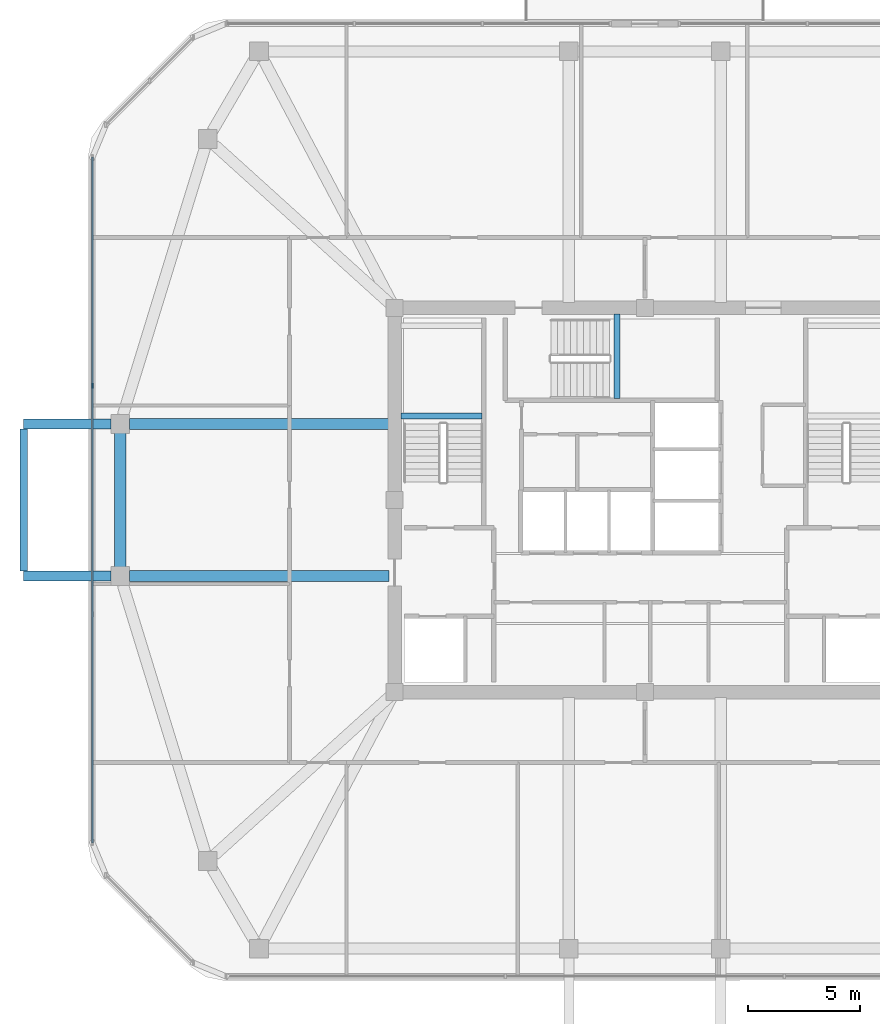
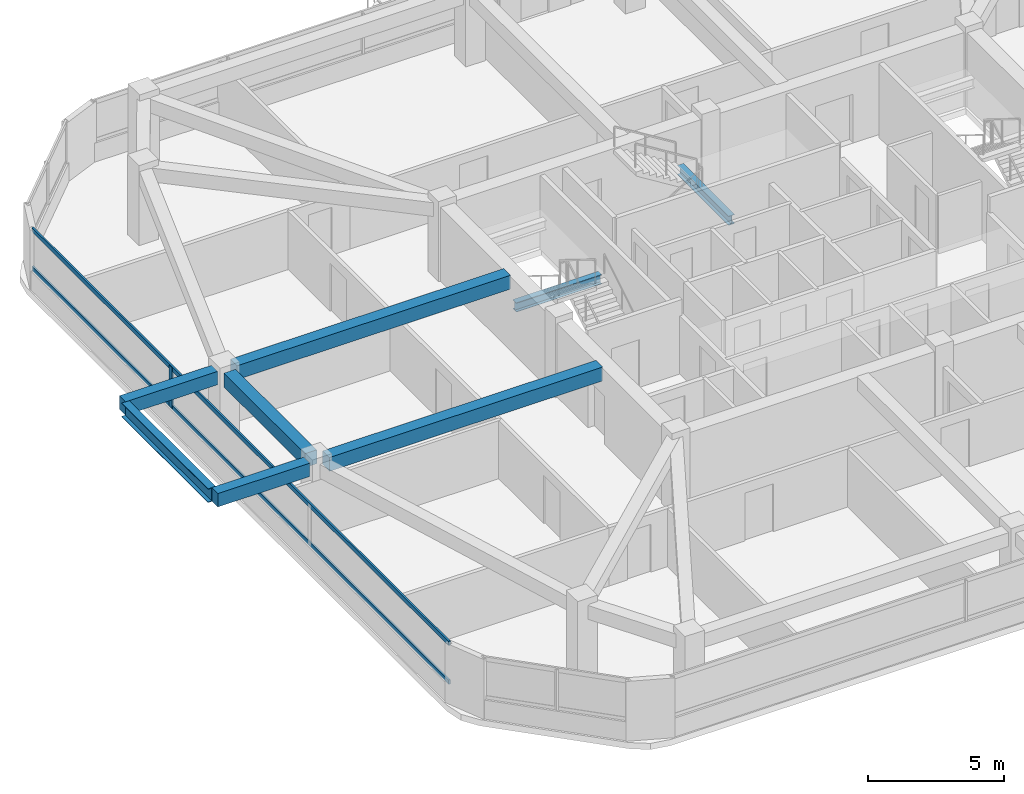
# One storey, part 4 of 14: 8 beams, 3 members, 1 element without a shape of its own.
"""IFC4 building model written with IfcOpenShell, lengths in metres."""

from ifc_helpers import new_model, si_unit, derived_unit, direction, frame, origin, origin_2d, place, context, subcontext, project, spatial, rectangle, i_section, extrude, material, material_profile, profile_set, type_object, element, aggregate, save


model = new_model("IFC4")

# Units and contexts
model_context = context("Model", 3, precision=1e-05, world=origin(), true_north=direction((0.0, 1.0)))
body_context = subcontext(model_context, "Body", "Model", "MODEL_VIEW")
ifc_project = project(units=[si_unit("LENGTHUNIT", "METRE"), si_unit("AREAUNIT", "SQUARE_METRE"), si_unit("VOLUMEUNIT", "CUBIC_METRE"), si_unit("PLANEANGLEUNIT", "RADIAN"), si_unit("MASSUNIT", "GRAM", prefix="KILO"), derived_unit("THERMALTRANSMITTANCEUNIT", [(si_unit("POWERUNIT", "WATT"), 1), (si_unit("LENGTHUNIT", "METRE"), -2), (si_unit("THERMODYNAMICTEMPERATUREUNIT", "KELVIN"), -1)])], contexts=[model_context])

# Site, building, storey
site_placement = place(None, origin())
site = spatial("IfcSite", under=ifc_project, at=site_placement, CompositionType="ELEMENT")
building_placement = place(site_placement, origin())
building = spatial("IfcBuilding", under=site, at=building_placement, Name="Koralith Skygarden Medical Center", CompositionType="ELEMENT")
storey_placement = place(building_placement, frame((0.0, 0.0, 260.820068359375)))
storey = spatial("IfcBuildingStorey", under=building, at=storey_placement, Name="L67", CompositionType="ELEMENT", Elevation=260.820068359375)

# Curtain wall, members
ifc_material_1 = material(Name="Clear Laminated Glass", Category="glass")
curtain_wall_type = type_object("IfcCurtainWallType", Name="CW-6 Zone 5 Upper Clinical Curtain Wall", PredefinedType="NOTDEFINED", material=ifc_material_1)
curtain_wall_placement = place(storey_placement, origin())
curtain_wall = element("IfcCurtainWall", 1, at=curtain_wall_placement, inside=storey, type_object=curtain_wall_type, Name="Curtain Wall CW-L67-W", PredefinedType="NOTDEFINED")
ifc_material_2 = material(Name="Aluminium 6063-T6", Category="aluminium")
ifc_material_profile_1 = material_profile(ifc_material_2, rectangle(XDim=0.0830078125, YDim=0.219970703125, at=origin_2d()), Name="MUL83X220")
ifc_profile_set_1 = profile_set([ifc_material_profile_1], Name="Aluminium 6063-T6")
member_type_1 = type_object("IfcMemberType", Name="CW-6 Extruded Mullion 83x220", PredefinedType="MULLION", material=ifc_profile_set_1)
member_1_placement = place(storey_placement, frame((12.280029296875, 31.014892578125, 0.849853515625), z_axis=(0.0, 0.0, 1.0), x_axis=(1.0, 0.0, 0.0)))
member_1 = element("IfcMember", 2, at=member_1_placement, type_object=member_type_1, Name="CW-L67-W Mullion 2", PredefinedType="MULLION", context=body_context, shape_type="SweptSolid", body=[
    extrude(rectangle(XDim=0.0830078125, YDim=0.219970703125, at=origin_2d()), origin(), (0.0, 0.0, 1.0), 1.840087890625),
])
ifc_material_profile_2 = material_profile(ifc_material_2, rectangle(XDim=0.077880859375, YDim=0.197998046875, at=origin_2d()), Name="TRN78X198")
ifc_profile_set_2 = profile_set([ifc_material_profile_2], Name="Aluminium 6063-T6")
member_type_2 = type_object("IfcMemberType", Name="CW-6 Thermal Transom 78x198", PredefinedType="USERDEFINED", material=ifc_profile_set_2)
member_2_placement = place(storey_placement, frame((12.280029296875, 41.2451171875, 0.89990234375), z_axis=(0.0, -1.0, 0.0), x_axis=(1.0, 0.0, 0.0)))
member_2 = element("IfcMember", 3, at=member_2_placement, type_object=member_type_2, Name="CW-L67-W Transom 1", ObjectType="TRANSOM", PredefinedType="USERDEFINED", context=body_context, shape_type="SweptSolid", body=[
    extrude(rectangle(XDim=0.077880859375, YDim=0.197998046875, at=origin_2d()), origin(), (0.0, 0.0, 1.0), 30.690185546875),
])
member_3_placement = place(storey_placement, frame((12.280029296875, 41.2451171875, 2.639892578125), z_axis=(0.0, -1.0, 0.0), x_axis=(1.0, 0.0, 0.0)))
member_3 = element("IfcMember", 4, at=member_3_placement, type_object=member_type_2, Name="CW-L67-W Transom 2", ObjectType="TRANSOM", PredefinedType="USERDEFINED", context=body_context, shape_type="SweptSolid", body=[
    extrude(rectangle(XDim=0.077880859375, YDim=0.197998046875, at=origin_2d()), origin(), (0.0, 0.0, 1.0), 30.690185546875),
])
aggregate(curtain_wall, [member_1, member_2, member_3])

# Beams
ifc_material_3 = material(Name="Steel ASTM A992 Grade 50", Category="steel")
ifc_material_profile_3 = material_profile(ifc_material_3, i_section(OverallWidth=0.326904296875, OverallDepth=0.6220703125, WebThickness=0.015380859375, FlangeThickness=0.0244140625, at=origin_2d()), Name="W24X131")
ifc_profile_set_3 = profile_set([ifc_material_profile_3], Name="Steel ASTM A992 Grade 50")
beam_type_1 = type_object("IfcBeamType", Name="Cantilever Tie Beam W24X131", PredefinedType="BEAM", material=ifc_profile_set_3)
beam_1_placement = place(storey_placement, frame((9.199951171875, 22.719970703125, 3.029052734375), z_axis=(0.0, 1.0, 0.0), x_axis=(-1.0, 0.0, 0.0)))
element("IfcBeam", 5, at=beam_1_placement, inside=storey, type_object=beam_type_1, Name="L68 W Balcony Tip Tie Beam", PredefinedType="BEAM", context=body_context, shape_type="SweptSolid", body=[
    extrude(i_section(OverallWidth=0.326904296875, OverallDepth=0.6220703125, WebThickness=0.015380859375, FlangeThickness=0.0244140625, at=origin_2d()), origin(), (0.0, 0.0, 1.0), 6.360107421875),
])
ifc_material_profile_4 = material_profile(ifc_material_3, i_section(OverallWidth=0.260009765625, OverallDepth=0.4150390625, WebThickness=0.010009765625, FlangeThickness=0.016845703125, at=origin_2d()), Name="W16X67")
ifc_profile_set_4 = profile_set([ifc_material_profile_4], Name="Steel ASTM A992 Grade 50")
beam_type_2 = type_object("IfcBeamType", Name="Clinical Floor Joist W16X67", PredefinedType="JOIST", material=ifc_profile_set_4)
beam_2_placement = place(storey_placement, frame((26.080078125, 29.659912109375, 1.392822265625), z_axis=(1.0, 0.0, 0.0), x_axis=(0.0, 1.0, 0.0)))
element("IfcBeam", 6, at=beam_2_placement, inside=storey, type_object=beam_type_2, Name="L67 Stair ST1 Half-Landing Support Beam 1A", PredefinedType="JOIST", context=body_context, shape_type="SweptSolid", body=[
    extrude(i_section(OverallWidth=0.260009765625, OverallDepth=0.4150390625, WebThickness=0.010009765625, FlangeThickness=0.016845703125, at=origin_2d()), origin(), (0.0, 0.0, 1.0), 3.639892578125),
])
beam_3_placement = place(storey_placement, frame((35.760009765625, 30.43994140625, 1.392822265625), z_axis=(0.0, 1.0, 0.0), x_axis=(-1.0, 0.0, 0.0)))
element("IfcBeam", 7, at=beam_3_placement, inside=storey, type_object=beam_type_2, Name="L67 Stair ST3 Half-Landing Support Beam 1A", PredefinedType="JOIST", context=body_context, shape_type="SweptSolid", body=[
    extrude(i_section(OverallWidth=0.260009765625, OverallDepth=0.4150390625, WebThickness=0.010009765625, FlangeThickness=0.016845703125, at=origin_2d()), origin(), (0.0, 0.0, 1.0), 3.780029296875),
])
ifc_material_4 = material(Name="Concrete C45/55", Category="concrete")
ifc_material_profile_5 = material_profile(ifc_material_4, rectangle(XDim=0.449951171875, YDim=0.60009765625, at=origin_2d()), Name="RCB450X600")
ifc_profile_set_5 = profile_set([ifc_material_profile_5], Name="Concrete C45/55")
beam_type_3 = type_object("IfcBeamType", Name="Planted Balcony Cantilever Beam RCB450X600", PredefinedType="BEAM", material=ifc_profile_set_5)
for number, where, z_axis, x_axis, name in (
    (8, (13.1201171875, 22.5, 3.0400390625), (-1.0, 0.0, 0.0), (0.0, -1.0, 0.0), "L68 W Balcony Cantilever Beam A"),
    (9, (13.1201171875, 29.300048828125, 3.0400390625), (-1.0, 0.0, 0.0), (0.0, -1.0, 0.0), "L68 W Balcony Cantilever Beam B"),
):
    element("IfcBeam", number, at=place(storey_placement, frame(where, z_axis=z_axis, x_axis=x_axis)), inside=storey, type_object=beam_type_3, Name=name, PredefinedType="BEAM", context=body_context, shape_type="SweptSolid", body=[
        extrude(rectangle(XDim=0.449951171875, YDim=0.60009765625, at=origin_2d()), origin(), (0.0, 0.0, 1.0), 3.920166015625),
    ])
ifc_material_profile_6 = material_profile(ifc_material_4, rectangle(XDim=0.5, YDim=0.6201171875, at=origin_2d()), Name="RCB500X620")
ifc_profile_set_6 = profile_set([ifc_material_profile_6], Name="Concrete C45/55")
beam_type_4 = type_object("IfcBeamType", Name="Upper Radial Collector Beam RCB500X620", PredefinedType="BEAM", material=ifc_profile_set_6)
for number, where, z_axis, x_axis, name in (
    (10, (25.550048828125, 22.5, 3.010009765625), (-1.0, 0.0, 0.0), (0.0, -1.0, 0.0), "L67 Radial Collector Beam RB-01"),
    (11, (25.550048828125, 29.300048828125, 3.010009765625), (-1.0, 0.0, 0.0), (0.0, -1.0, 0.0), "L67 Radial Collector Beam RB-16"),
):
    element("IfcBeam", number, at=place(storey_placement, frame(where, z_axis=z_axis, x_axis=x_axis)), inside=storey, type_object=beam_type_4, Name=name, PredefinedType="BEAM", context=body_context, shape_type="SweptSolid", body=[
        extrude(rectangle(XDim=0.5, YDim=0.6201171875, at=origin_2d()), origin(), (0.0, 0.0, 1.0), 11.6201171875),
    ])
ifc_material_profile_7 = material_profile(ifc_material_4, rectangle(XDim=0.5, YDim=0.6201171875, at=origin_2d()), Name="RCB500X620")
ifc_profile_set_7 = profile_set([ifc_material_profile_7], Name="Concrete C45/55")
beam_type_5 = type_object("IfcBeamType", Name="Zone 4-5 Spandrel Beam RCB500X620", PredefinedType="SPANDREL", material=ifc_profile_set_7)
beam_4_placement = place(storey_placement, frame((13.52001953125, 28.889892578125, 3.010009765625), z_axis=(0.0, -1.0, 0.0), x_axis=(1.0, 0.0, 0.0)))
element("IfcBeam", 12, at=beam_4_placement, inside=storey, type_object=beam_type_5, Name="L67 Perimeter Spandrel Beam SP-16", PredefinedType="SPANDREL", context=body_context, shape_type="SweptSolid", body=[
    extrude(rectangle(XDim=0.5, YDim=0.6201171875, at=origin_2d()), origin(), (0.0, 0.0, 1.0), 5.97998046875),
])

save(model, "model.ifc")
